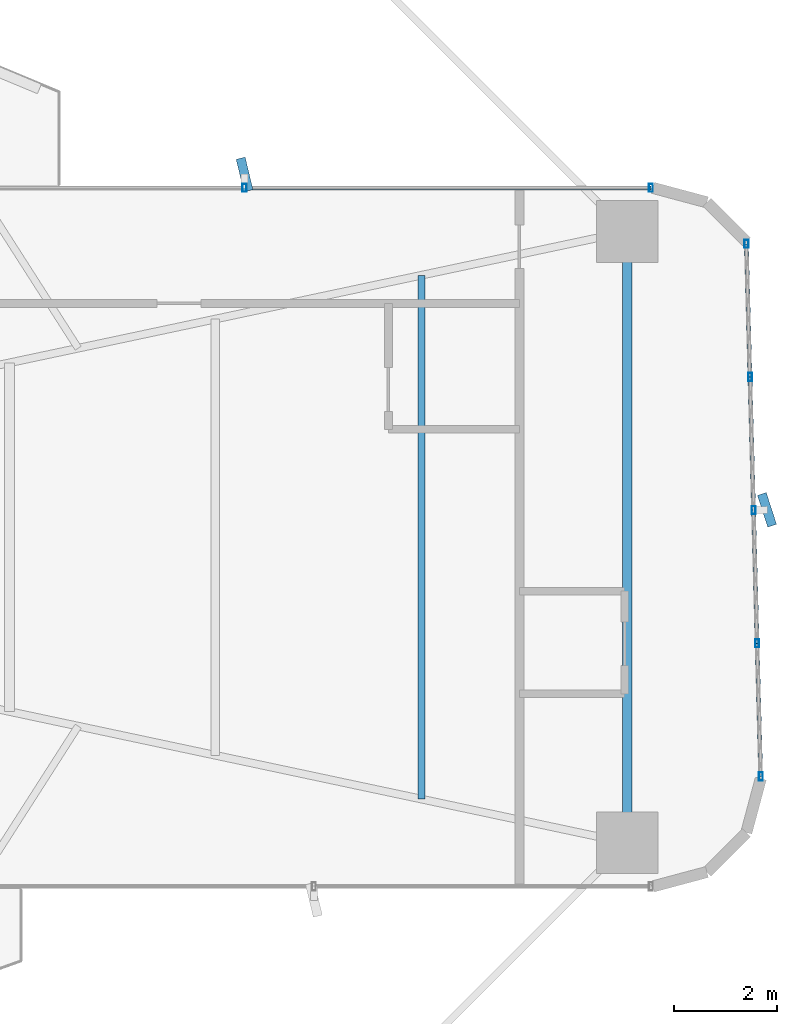
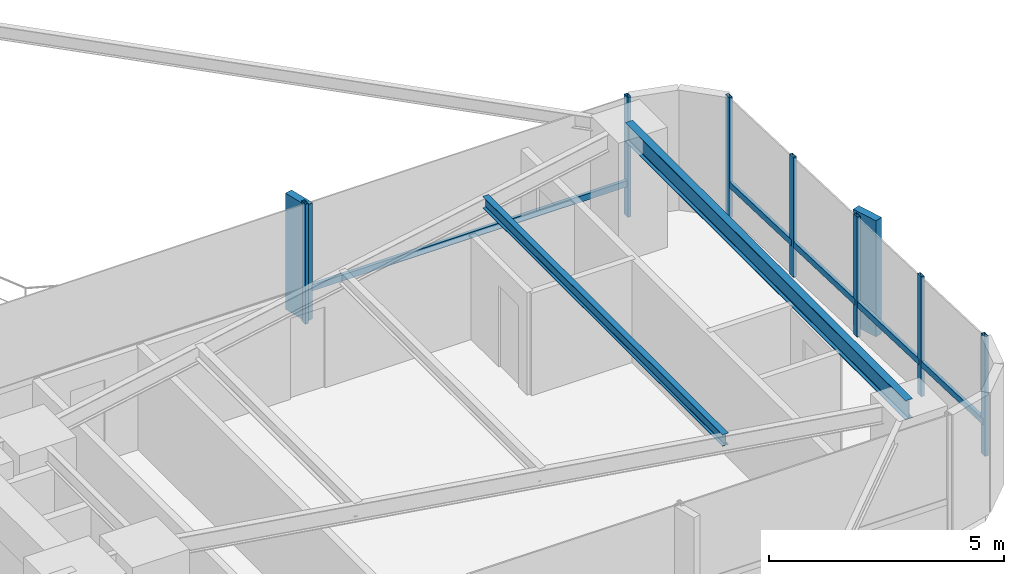
# One storey, part 16 of 25: 14 members, 2 beams, 2 elements without a shape of their own.
"""IFC4 building model written with IfcOpenShell, lengths in metres."""

import ifcopenshell
import ifcopenshell.guid

model = None  # the IFC model being written
_history = None  # IfcOwnerHistory: only IFC2X3 demands one
_inside = {}  # id of a spatial element -> (the spatial element, [elements in it])
_under = {}  # id of a project, library or spatial element -> (it, [spatial elements below it])
_declared = {}  # id of a project -> (the project, [libraries it declares])
_typed = {}  # id of a type object -> (the type object, [elements of that type])
_made_of = {}  # id of a material, layer set ... -> (it, [elements and type objects made of it])


def new_model(schema):
    """Start an empty IFC model of exactly this schema.

    Asked for "IFC4X3", IfcOpenShell would pick the latest addendum, in which some entities
    have other attributes; the version numbers below select the first issue.
    IFC2X3 requires an IfcOwnerHistory on every rooted entity: one is made here for all.
    """
    global model, _history
    if schema == "IFC4X3":
        model = ifcopenshell.file(schema_version=(4, 3, 0, 0))
    else:
        model = ifcopenshell.file(schema=schema)
    _inside.clear()
    _under.clear()
    _declared.clear()
    _typed.clear()
    _made_of.clear()
    _history = None
    if model.schema == "IFC2X3":
        org = make("IfcOrganization", Name="unknown")
        user = make(
            "IfcPersonAndOrganization",
            ThePerson=make("IfcPerson", FamilyName="unknown"),
            TheOrganization=org,
        )
        app = make(
            "IfcApplication",
            ApplicationDeveloper=org,
            Version="unknown",
            ApplicationFullName="unknown",
            ApplicationIdentifier="unknown",
        )
        _history = make(
            "IfcOwnerHistory",
            OwningUser=user,
            OwningApplication=app,
            ChangeAction="ADDED",
            CreationDate=0,
        )
    return model


def make(cls, **values):
    """One entity of the class cls with the attributes given. An attribute that is None is left unset."""
    return model.create_entity(
        cls, **{name: value for name, value in values.items() if value is not None}
    )


def rooted(cls, **values):
    """An entity with a GlobalId (a new one), such as an element, a storey or a relation."""
    return make(cls, GlobalId=ifcopenshell.guid.new(), OwnerHistory=_history, **values)


def si_unit(unit_type, name, prefix=None):
    """IfcSIUnit, for example si_unit("LENGTHUNIT", "METRE", prefix="MILLI")."""
    return make("IfcSIUnit", UnitType=unit_type, Prefix=prefix, Name=name)


def assignment(units):
    """IfcUnitAssignment: the units of a project."""
    return None if units is None else make("IfcUnitAssignment", Units=units)


def point(xyz):
    """IfcCartesianPoint."""
    return None if xyz is None else make("IfcCartesianPoint", Coordinates=xyz)


def direction(xyz):
    """IfcDirection."""
    return None if xyz is None else make("IfcDirection", DirectionRatios=xyz)


def frame(location, z_axis=None, x_axis=None):
    """IfcAxis2Placement3D, a coordinate frame: its origin and axes. An axis left out is left unset."""
    return make(
        "IfcAxis2Placement3D",
        Location=point(location),
        Axis=direction(z_axis),
        RefDirection=direction(x_axis),
    )


def frame_2d(location, x_axis=None):
    """IfcAxis2Placement2D, a coordinate frame in the plane: its origin and x axis."""
    return make(
        "IfcAxis2Placement2D", Location=point(location), RefDirection=direction(x_axis)
    )


def origin():
    """The frame at (0, 0, 0) with its axes left unset."""
    return frame((0.0, 0.0, 0.0))


def origin_2d():
    """The frame at (0, 0) in the plane with its x axis left unset."""
    return frame_2d((0.0, 0.0))


def place(relative_to, where):
    """IfcLocalPlacement: puts the frame where relative to a parent placement (None: the world)."""
    return make(
        "IfcLocalPlacement", PlacementRelTo=relative_to, RelativePlacement=where
    )


def context(
    kind, dimensions, precision=None, world=None, true_north=None, identifier=None
):
    """IfcGeometricRepresentationContext, for example the 3D "Model" context."""
    return make(
        "IfcGeometricRepresentationContext",
        ContextIdentifier=identifier,
        ContextType=kind,
        CoordinateSpaceDimension=dimensions,
        Precision=precision,
        WorldCoordinateSystem=world,
        TrueNorth=true_north,
    )


def subcontext(parent, identifier, kind, view, scale=None):
    """IfcGeometricRepresentationSubContext, for example "Body" below "Model"."""
    return make(
        "IfcGeometricRepresentationSubContext",
        ContextIdentifier=identifier,
        ContextType=kind,
        ParentContext=parent,
        TargetScale=scale,
        TargetView=view,
    )


def project(units=None, contexts=None):
    """IfcProject with its units and contexts."""
    return rooted(
        "IfcProject",
        Name="project",
        RepresentationContexts=contexts,
        UnitsInContext=assignment(units),
    )


def spatial(cls, under=None, at=None, **own):
    """A site, building, storey or space (cls), placed at a placement, below another one or the project."""
    s = rooted(cls, ObjectPlacement=at, **own)
    if under is not None:
        _under.setdefault(under.id(), (under, []))[1].append(s)
    return s


def profile(cls, at=None, kind="AREA", **sizes):
    """A parametric profile (cls). Its sizes go by their IFC names, for example OverallWidth=200.0."""
    return make(cls, ProfileType=kind, Position=at, **sizes)


def rectangle(**sizes):
    """IfcRectangleProfileDef."""
    return profile("IfcRectangleProfileDef", **sizes)


def hollow_rectangle(**sizes):
    """IfcRectangleHollowProfileDef."""
    return profile("IfcRectangleHollowProfileDef", **sizes)


def i_section(**sizes):
    """IfcIShapeProfileDef."""
    return profile("IfcIShapeProfileDef", **sizes)


def extrude(swept, where, along, depth):
    """IfcExtrudedAreaSolid: the profile swept, set in the frame where, extruded along a direction by depth."""
    return make(
        "IfcExtrudedAreaSolid",
        SweptArea=swept,
        Position=where,
        ExtrudedDirection=direction(along),
        Depth=depth,
    )


def shape(context_of_items, identifier, shape_type, items):
    """IfcShapeRepresentation: the items that make up one representation, for example the "Body"."""
    return make(
        "IfcShapeRepresentation",
        ContextOfItems=context_of_items,
        RepresentationIdentifier=identifier,
        RepresentationType=shape_type,
        Items=items,
    )


def source(mapping_origin, context_of_items, identifier, shape_type, items):
    """IfcRepresentationMap: a shape defined once, which mapped items show again and again."""
    return make(
        "IfcRepresentationMap",
        MappingOrigin=mapping_origin,
        MappedRepresentation=shape(context_of_items, identifier, shape_type, items),
    )


def transform(
    local_origin,
    x_axis=None,
    y_axis=None,
    z_axis=None,
    scale=None,
    scale2=None,
    scale3=None,
    uniform=True,
):
    """IfcCartesianTransformationOperator3D, or its non-uniform kind. x_axis, y_axis, z_axis: its Axis1, 2, 3."""
    if uniform:
        return make(
            "IfcCartesianTransformationOperator3D",
            Axis1=direction(x_axis),
            Axis2=direction(y_axis),
            LocalOrigin=point(local_origin),
            Scale=scale,
            Axis3=direction(z_axis),
        )
    return make(
        "IfcCartesianTransformationOperator3DnonUniform",
        Axis1=direction(x_axis),
        Axis2=direction(y_axis),
        LocalOrigin=point(local_origin),
        Scale=scale,
        Axis3=direction(z_axis),
        Scale2=scale2,
        Scale3=scale3,
    )


def mapped(mapping_source, mapping_target):
    """IfcMappedItem: shows the shape of a source again, moved by a transform."""
    return make(
        "IfcMappedItem", MappingSource=mapping_source, MappingTarget=mapping_target
    )


def material(Name=None, Category=None):
    """IfcMaterial."""
    return make("IfcMaterial", Name=Name, Category=Category)


def material_profile(
    of_material, cross_section, Name=None, Category=None, Priority=None
):
    """IfcMaterialProfile: a cross section and its material."""
    return make(
        "IfcMaterialProfile",
        Name=Name,
        Material=of_material,
        Profile=cross_section,
        Priority=Priority,
        Category=Category,
    )


def profile_set(profiles, Name=None, composite=None):
    """IfcMaterialProfileSet."""
    return make(
        "IfcMaterialProfileSet",
        Name=Name,
        MaterialProfiles=profiles,
        CompositeProfile=composite,
    )


def made_of(thing, what):
    """Note that an element or type object is made of a material, layer set ...; save() writes the relation."""
    if what is not None:
        _made_of.setdefault(what.id(), (what, []))[1].append(thing)
    return thing


def type_object(cls, material=None, **own):
    """A type object (cls), such as IfcWallType, which elements share."""
    return made_of(rooted(cls, **own), material)


def element(
    cls,
    number,
    at=None,
    inside=None,
    cuts=None,
    type_object=None,
    material=None,
    context=None,
    identifier="Body",
    shape_type=None,
    held_by="IfcProductDefinitionShape",
    body=None,
    shapes=None,
    **own,
):
    """One element of the class cls, such as IfcWall. Its Tag is "e" and its number.

    at: its placement. inside: the storey or other place that contains it. cuts: it is an
    opening in that element (IfcRelVoidsElement). A single representation is given by context,
    identifier, shape_type and body (its items); several are given by shapes. held_by: the class
    of the entity that holds the representations. save() writes the other relations.
    """
    e = rooted(cls, Tag="e%d" % number, ObjectPlacement=at, **own)
    if body is not None:
        shapes = [shape(context, identifier, shape_type, body)]
    if shapes is not None:
        e.Representation = make(held_by, Representations=shapes)
    if inside is not None:
        _inside.setdefault(inside.id(), (inside, []))[1].append(e)
    if cuts is not None:
        rooted(
            "IfcRelVoidsElement", RelatingBuildingElement=cuts, RelatedOpeningElement=e
        )
    if type_object is not None:
        _typed.setdefault(type_object.id(), (type_object, []))[1].append(e)
    return made_of(e, material)


def aggregate(whole, parts):
    """IfcRelAggregates: a whole, such as a stair, and the parts it consists of."""
    return rooted("IfcRelAggregates", RelatingObject=whole, RelatedObjects=parts)


def save(model, path):
    """Write the relations noted so far, then the file.

    IfcRelAggregates (storeys below a building ...), IfcRelContainedInSpatialStructure (elements
    in a storey), IfcRelDefinesByType, IfcRelAssociatesMaterial and IfcRelDeclares: one each for
    every whole, place, type object, material and project.
    """
    for whole, parts in _under.values():
        aggregate(whole, parts)
    for where, things in _inside.values():
        rooted(
            "IfcRelContainedInSpatialStructure",
            RelatedElements=things,
            RelatingStructure=where,
        )
    for kind, things in _typed.values():
        rooted("IfcRelDefinesByType", RelatedObjects=things, RelatingType=kind)
    for what, things in _made_of.values():
        rooted("IfcRelAssociatesMaterial", RelatedObjects=things, RelatingMaterial=what)
    for by, libraries in _declared.values():
        rooted("IfcRelDeclares", RelatingContext=by, RelatedDefinitions=libraries)
    model.write(path)


model = new_model("IFC4")

# Units and contexts
model_context = context("Model", 3, precision=1e-05, world=origin(), true_north=direction((0.0, 1.0)))
body_context = subcontext(model_context, "Body", "Model", "MODEL_VIEW")
ifc_project = project(units=[si_unit("LENGTHUNIT", "METRE"), si_unit("AREAUNIT", "SQUARE_METRE"), si_unit("VOLUMEUNIT", "CUBIC_METRE"), si_unit("PLANEANGLEUNIT", "RADIAN"), si_unit("MASSUNIT", "GRAM", prefix="KILO")], contexts=[model_context])

# Site, building, storey
site_placement = place(None, origin())
site = spatial("IfcSite", under=ifc_project, at=site_placement, CompositionType="ELEMENT")
building_placement = place(site_placement, origin())
building = spatial("IfcBuilding", under=site, at=building_placement, Name="Sahyath Konkavel Grand Hotel", CompositionType="ELEMENT")
storey_placement = place(building_placement, frame((0.0, 0.0, 36.5)))
storey = spatial("IfcBuildingStorey", under=building, at=storey_placement, Name="L09", CompositionType="ELEMENT", Elevation=36.5)

# Beams
ifc_material_1 = material(Name="Steel E350", Category="steel")
ifc_material_profile_1 = material_profile(ifc_material_1, i_section(OverallWidth=0.179931640625, OverallDepth=0.5, WebThickness=0.01025390625, FlangeThickness=0.01708984375, FilletRadius=0.01708984375, at=origin_2d()), Name="ISMB 500")
ifc_profile_set_1 = profile_set([ifc_material_profile_1], Name="Steel E350")
beam_type_1 = type_object("IfcBeamType", Name="BM-ISMB500", PredefinedType="BEAM", material=ifc_profile_set_1)
shared_shape_1 = source(origin(), body_context, "Body", "SweptSolid", [
    extrude(i_section(OverallWidth=0.179931640625, OverallDepth=0.5, WebThickness=0.01025390625, FlangeThickness=0.01708984375, FilletRadius=0.01708984375, at=origin_2d()), origin(), (0.0, 0.0, 1.0), 11.89990234375),
])
beam_1_placement = place(storey_placement, frame((22.199951171875, -5.949951171875, 2.860107421875), z_axis=(0.0, 1.0, 0.0), x_axis=(-1.0, 0.0, 0.0)))
element("IfcBeam", 1, at=beam_1_placement, inside=storey, type_object=beam_type_1, Name="L09 Wing Tip Edge Beam E", PredefinedType="BEAM", context=body_context, shape_type="MappedRepresentation", body=[
    mapped(shared_shape_1, transform((0.0, 0.0, 0.0), scale=1.0)),
])
ifc_material_profile_2 = material_profile(ifc_material_1, i_section(OverallWidth=0.139892578125, OverallDepth=0.300048828125, WebThickness=0.0078125, FlangeThickness=0.01318359375, FilletRadius=0.013916015625, at=origin_2d()), Name="ISMB 300")
ifc_profile_set_2 = profile_set([ifc_material_profile_2], Name="Steel E350")
beam_type_2 = type_object("IfcBeamType", Name="BM-ISMB300", PredefinedType="BEAM", material=ifc_profile_set_2)
shared_shape_2 = source(origin(), body_context, "Body", "SweptSolid", [
    extrude(i_section(OverallWidth=0.139892578125, OverallDepth=0.300048828125, WebThickness=0.0078125, FlangeThickness=0.01318359375, FilletRadius=0.013916015625, at=origin_2d()), origin(), (0.0, 0.0, 1.0), 10.19580078125),
])
beam_2_placement = place(storey_placement, frame((18.19189453125, -5.097900390625, 2.9599609375), z_axis=(0.0, 1.0, 0.0), x_axis=(-1.0, 0.0, 0.0)))
element("IfcBeam", 2, at=beam_2_placement, inside=storey, type_object=beam_type_2, Name="L09 Secondary Floor Beam E-3", PredefinedType="BEAM", context=body_context, shape_type="MappedRepresentation", body=[
    mapped(shared_shape_2, transform((0.0, 0.0, 0.0), scale=1.0)),
])

# Curtain wall, member
ifc_material_2 = material(Name="Anodised Bronze Aluminium & Low-E Glazing", Category="aluminium")
curtain_wall_type = type_object("IfcCurtainWallType", Name="CW-ZONE1", PredefinedType="NOTDEFINED", material=ifc_material_2)
curtain_wall_1_placement = place(storey_placement, origin())
curtain_wall_1 = element("IfcCurtainWall", 3, at=curtain_wall_1_placement, inside=storey, type_object=curtain_wall_type, Name="L09 Unitised Curtain Wall F4", PredefinedType="NOTDEFINED")
ifc_material_3 = material(Name="Warm Buff Sandstone Cladding on Concrete C50/60", Category="masonry")
ifc_material_profile_3 = material_profile(ifc_material_3, rectangle(XDim=0.179931640625, YDim=0.64990234375, at=origin_2d()), Name="FIN 180x650")
ifc_profile_set_3 = profile_set([ifc_material_profile_3], Name="Warm Buff Sandstone Cladding on Concrete C50/60")
member_type_1 = type_object("IfcMemberType", Name="FIN-SANDSTONE-650", PredefinedType="MULLION", material=ifc_profile_set_3)
shared_shape_3 = source(origin(), body_context, "Body", "SweptSolid", [
    extrude(rectangle(XDim=0.179931640625, YDim=0.64990234375, at=origin_2d()), origin(), (0.0, 0.0, 1.0), 3.010009765625),
])
member_1_placement = place(storey_placement, frame((24.919189453125, 0.531982421875, 0.050048828125), z_axis=(0.0, 0.0, 1.0), x_axis=(0.951272019071, 0.30835295642, 0.0)))
member_1 = element("IfcMember", 4, at=member_1_placement, type_object=member_type_1, Name="L09 Sandstone Vertical Solar Fin FIN F4-2", PredefinedType="MULLION", context=body_context, shape_type="MappedRepresentation", body=[
    mapped(shared_shape_3, transform((0.0, 0.0, 0.0), scale=1.0)),
])

# Curtain wall, members
curtain_wall_2_placement = place(storey_placement, origin())
curtain_wall_2 = element("IfcCurtainWall", 5, at=curtain_wall_2_placement, inside=storey, type_object=curtain_wall_type, Name="L09 Unitised Curtain Wall F7", PredefinedType="NOTDEFINED")
member_2_placement = place(storey_placement, frame((14.75, 7.06005859375, 0.050048828125), z_axis=(0.0, 0.0, 1.0), x_axis=(0.972369920398, 0.233445363856, 0.0)))
member_2 = element("IfcMember", 6, at=member_2_placement, type_object=member_type_1, Name="L09 Sandstone Vertical Solar Fin FIN F7-1", PredefinedType="MULLION", context=body_context, shape_type="MappedRepresentation", body=[
    mapped(shared_shape_3, transform((0.0, 0.0, 0.0), scale=1.0)),
])
ifc_material_4 = material(Name="Anodised Bronze Aluminium", Category="aluminium")
ifc_material_profile_4 = material_profile(ifc_material_4, hollow_rectangle(XDim=0.080078125, YDim=0.159912109375, WallThickness=0.006103515625, at=origin_2d()), Name="RHS 160x80x6")
ifc_profile_set_4 = profile_set([ifc_material_profile_4], Name="Anodised Bronze Aluminium")
member_type_2 = type_object("IfcMemberType", Name="CW-TRN-160", PredefinedType="USERDEFINED", material=ifc_profile_set_4)
shared_shape_4 = source(origin(), body_context, "Body", "SweptSolid", [
    extrude(hollow_rectangle(XDim=0.080078125, YDim=0.159912109375, WallThickness=0.006103515625, at=origin_2d()), origin(), (0.0, 0.0, 1.0), 7.909912109375),
])
member_3_placement = place(storey_placement, frame((22.659912109375, 6.800048828125, 0.85009765625), z_axis=(-1.0, 0.0, 0.0), x_axis=(0.0, -1.0, 0.0)))
member_3 = element("IfcMember", 7, at=member_3_placement, type_object=member_type_2, Name="L09 Curtain Wall Transom F7-0-spandrel", ObjectType="TRANSOM", PredefinedType="USERDEFINED", context=body_context, shape_type="MappedRepresentation", body=[
    mapped(shared_shape_4, transform((0.0, 0.0, 0.0), scale=1.0)),
])

# Member
shared_shape_5 = source(origin(), body_context, "Body", "SweptSolid", [
    extrude(hollow_rectangle(XDim=0.080078125, YDim=0.159912109375, WallThickness=0.006103515625, at=origin_2d()), origin(), (0.0, 0.0, 1.0), 2.593505859375),
])
member_4_placement = place(storey_placement, frame((24.798828125, -4.659912109375, 0.85009765625), z_axis=(-0.026923093252, 0.999637507825, 0.0), x_axis=(-0.999637507825, -0.026923093252, 0.0)))
member_4 = element("IfcMember", 8, at=member_4_placement, type_object=member_type_2, Name="L09 Curtain Wall Transom F4-0-spandrel", ObjectType="TRANSOM", PredefinedType="USERDEFINED", context=body_context, shape_type="MappedRepresentation", body=[
    mapped(shared_shape_5, transform((0.0, 0.0, 0.0), scale=1.0)),
])

member_5_placement = place(storey_placement, frame((24.6591796875, 0.52490234375, 0.85009765625), z_axis=(-0.02682902444, 0.999640036937, 0.0), x_axis=(-0.999640036937, -0.02682902444, 0.0)))
member_5 = element("IfcMember", 9, at=member_5_placement, type_object=member_type_2, Name="L09 Curtain Wall Transom F4-2-spandrel", ObjectType="TRANSOM", PredefinedType="USERDEFINED", context=body_context, shape_type="MappedRepresentation", body=[
    mapped(shared_shape_5, transform((0.0, 0.0, 0.0), scale=1.0)),
])

member_6_placement = place(storey_placement, frame((24.589599609375, 3.117431640625, 0.85009765625), z_axis=(-0.026923093252, 0.999637507825, 0.0), x_axis=(-0.999637507825, -0.026923093252, 0.0)))
member_6 = element("IfcMember", 10, at=member_6_placement, type_object=member_type_2, Name="L09 Curtain Wall Transom F4-3-spandrel", ObjectType="TRANSOM", PredefinedType="USERDEFINED", context=body_context, shape_type="MappedRepresentation", body=[
    mapped(shared_shape_5, transform((0.0, 0.0, 0.0), scale=1.0)),
])

shared_shape_6 = source(origin(), body_context, "Body", "SweptSolid", [
    extrude(hollow_rectangle(XDim=0.080078125, YDim=0.159912109375, WallThickness=0.006103515625, at=origin_2d()), origin(), (0.0, 0.0, 1.0), 2.59326171875),
])
member_7_placement = place(storey_placement, frame((24.72900390625, -2.0673828125, 0.85009765625), z_axis=(-0.026925627022, 0.99963743958, 0.0), x_axis=(-0.99963743958, -0.026925627022, 0.0)))
member_7 = element("IfcMember", 11, at=member_7_placement, type_object=member_type_2, Name="L09 Curtain Wall Transom F4-1-spandrel", ObjectType="TRANSOM", PredefinedType="USERDEFINED", context=body_context, shape_type="MappedRepresentation", body=[
    mapped(shared_shape_6, transform((0.0, 0.0, 0.0), scale=1.0)),
])

ifc_material_profile_5 = material_profile(ifc_material_4, hollow_rectangle(XDim=0.080078125, YDim=0.159912109375, WallThickness=0.006103515625, at=origin_2d()), Name="RHS 160x80x6")
ifc_profile_set_5 = profile_set([ifc_material_profile_5], Name="Anodised Bronze Aluminium")
member_type_3 = type_object("IfcMemberType", Name="CW-MUL-160", PredefinedType="MULLION", material=ifc_profile_set_5)
shared_shape_7 = source(origin(), body_context, "Body", "SweptSolid", [
    extrude(hollow_rectangle(XDim=0.080078125, YDim=0.159912109375, WallThickness=0.006103515625, at=origin_2d()), origin(), (0.0, 0.0, 1.0), 3.110107421875),
])
member_8_placement = place(storey_placement, frame((24.798828125, -4.659912109375, 0.0), z_axis=(0.0, 0.0, 1.0), x_axis=(1.0, 0.0, 0.0)))
member_8 = element("IfcMember", 12, at=member_8_placement, type_object=member_type_3, Name="L09 Curtain Wall Mullion F4-0", PredefinedType="MULLION", context=body_context, shape_type="MappedRepresentation", body=[
    mapped(shared_shape_7, transform((0.0, 0.0, 0.0), scale=1.0)),
])

member_9_placement = place(storey_placement, frame((24.72900390625, -2.0673828125, 0.0), z_axis=(0.0, 0.0, 1.0), x_axis=(1.0, 0.0, 0.0)))
member_9 = element("IfcMember", 13, at=member_9_placement, type_object=member_type_3, Name="L09 Curtain Wall Mullion F4-1", PredefinedType="MULLION", context=body_context, shape_type="MappedRepresentation", body=[
    mapped(shared_shape_7, transform((0.0, 0.0, 0.0), scale=1.0)),
])

member_10_placement = place(storey_placement, frame((24.6591796875, 0.52490234375, 0.0), z_axis=(0.0, 0.0, 1.0), x_axis=(1.0, 0.0, 0.0)))
member_10 = element("IfcMember", 14, at=member_10_placement, type_object=member_type_3, Name="L09 Curtain Wall Mullion F4-2", PredefinedType="MULLION", context=body_context, shape_type="MappedRepresentation", body=[
    mapped(shared_shape_7, transform((0.0, 0.0, 0.0), scale=1.0)),
])

member_11_placement = place(storey_placement, frame((24.589599609375, 3.117431640625, 0.0), z_axis=(0.0, 0.0, 1.0), x_axis=(1.0, 0.0, 0.0)))
member_11 = element("IfcMember", 15, at=member_11_placement, type_object=member_type_3, Name="L09 Curtain Wall Mullion F4-3", PredefinedType="MULLION", context=body_context, shape_type="MappedRepresentation", body=[
    mapped(shared_shape_7, transform((0.0, 0.0, 0.0), scale=1.0)),
])

member_12_placement = place(storey_placement, frame((24.519775390625, 5.7099609375, 0.0), z_axis=(0.0, 0.0, 1.0), x_axis=(1.0, 0.0, 0.0)))
member_12 = element("IfcMember", 16, at=member_12_placement, type_object=member_type_3, Name="L09 Curtain Wall Mullion F4-4", PredefinedType="MULLION", context=body_context, shape_type="MappedRepresentation", body=[
    mapped(shared_shape_7, transform((0.0, 0.0, 0.0), scale=1.0)),
])

aggregate(curtain_wall_1, [member_8, member_9, member_10, member_1, member_11, member_12, member_4, member_7, member_5, member_6])

member_13_placement = place(storey_placement, frame((22.659912109375, 6.800048828125, 0.0), z_axis=(0.0, 0.0, 1.0), x_axis=(1.0, 0.0, 0.0)))
member_13 = element("IfcMember", 17, at=member_13_placement, type_object=member_type_3, Name="L09 Curtain Wall Mullion F7-0", PredefinedType="MULLION", context=body_context, shape_type="MappedRepresentation", body=[
    mapped(shared_shape_7, transform((0.0, 0.0, 0.0), scale=1.0)),
])

member_14_placement = place(storey_placement, frame((14.75, 6.800048828125, 0.0), z_axis=(0.0, 0.0, 1.0), x_axis=(1.0, 0.0, 0.0)))
member_14 = element("IfcMember", 18, at=member_14_placement, type_object=member_type_3, Name="L09 Curtain Wall Mullion F7-1", PredefinedType="MULLION", context=body_context, shape_type="MappedRepresentation", body=[
    mapped(shared_shape_7, transform((0.0, 0.0, 0.0), scale=1.0)),
])

aggregate(curtain_wall_2, [member_13, member_14, member_2, member_3])

save(model, "model.ifc")
